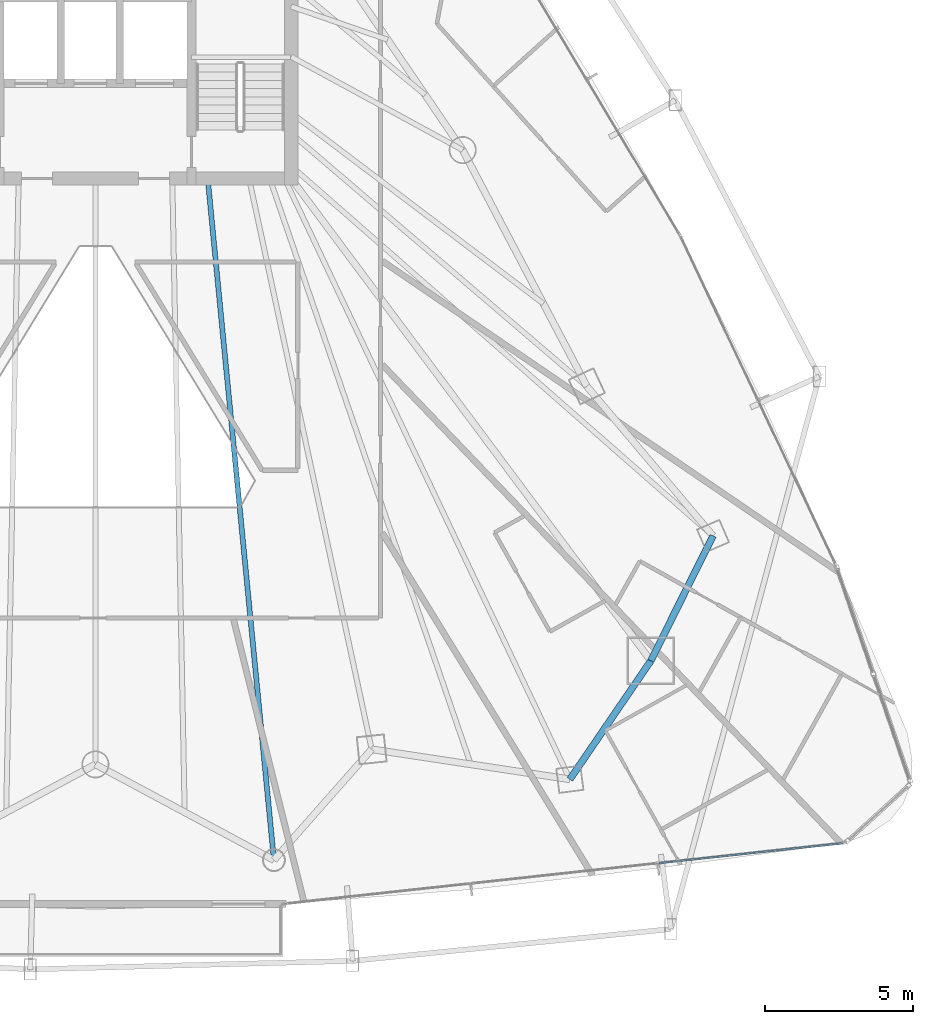
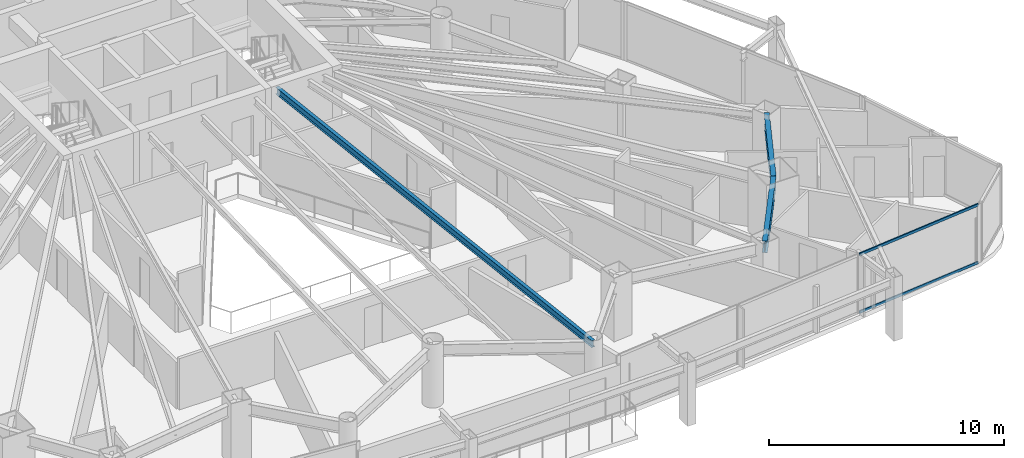
# One storey, part 13 of 34: 3 beams, 2 members, 1 element without a shape of its own.
"""IFC4 building model written with IfcOpenShell, lengths in metres."""

from ifc_helpers import new_model, si_unit, direction, frame, origin, origin_2d, place, context, subcontext, project, spatial, hollow_rectangle, i_section, extrude, material, layer, layer_set, material_profile, profile_set, type_object, element, aggregate, save


model = new_model("IFC4")

# Units and contexts
model_context = context("Model", 3, precision=1e-05, world=origin(), true_north=direction((0.0, 1.0)))
body_context = subcontext(model_context, "Body", "Model", "MODEL_VIEW")
ifc_project = project(units=[si_unit("LENGTHUNIT", "METRE"), si_unit("AREAUNIT", "SQUARE_METRE"), si_unit("VOLUMEUNIT", "CUBIC_METRE"), si_unit("PLANEANGLEUNIT", "RADIAN"), si_unit("MASSUNIT", "GRAM", prefix="KILO")], contexts=[model_context])

# Site, building, storey
site_placement = place(None, origin())
site = spatial("IfcSite", under=ifc_project, at=site_placement, CompositionType="ELEMENT")
building_placement = place(site_placement, origin())
building = spatial("IfcBuilding", under=site, at=building_placement, Name="Orvanel Arch Residences", CompositionType="ELEMENT")
storey_placement = place(building_placement, frame((0.0, 0.0, 77.449951171875)))
storey = spatial("IfcBuildingStorey", under=building, at=storey_placement, Name="L21", CompositionType="ELEMENT", Elevation=77.449951171875)

# Beams
ifc_material_1 = material(Name="Structural steel AS/NZS 3679.1 Grade 300 (300 MPa)", Category="steel")
ifc_material_profile_1 = material_profile(ifc_material_1, i_section(OverallWidth=0.1708984375, OverallDepth=0.35595703125, WebThickness=0.00732421875, FlangeThickness=0.011474609375, at=origin_2d()), Name="360UB50.7")
ifc_profile_set_1 = profile_set([ifc_material_profile_1], Name="Structural steel AS/NZS 3679.1 Grade 300 (300 MPa)")
beam_type_1 = type_object("IfcBeamType", Name="BJ-360UB", PredefinedType="JOIST", material=ifc_profile_set_1)
beam_1_placement = place(storey_placement, frame((36.800048828125, 26.675048828125, 2.882080078125), z_axis=(0.096724091756, -0.995311232768, 0.0), x_axis=(0.995311232768, 0.096724091756, 0.0)))
element("IfcBeam", 1, at=beam_1_placement, inside=storey, type_object=beam_type_1, Name="L21 LSE Wing Floor Joist", PredefinedType="JOIST", context=body_context, shape_type="SweptSolid", body=[
    extrude(i_section(OverallWidth=0.1708984375, OverallDepth=0.35595703125, WebThickness=0.00732421875, FlangeThickness=0.011474609375, at=origin_2d()), origin(), (0.0, 0.0, 1.0), 23.1787109375),
])
ifc_material_profile_2 = material_profile(ifc_material_1, i_section(OverallWidth=0.22900390625, OverallDepth=0.612060546875, WebThickness=0.011962890625, FlangeThickness=0.01953125, at=origin_2d()), Name="610UB125")
ifc_profile_set_2 = profile_set([ifc_material_profile_2], Name="Structural steel AS/NZS 3679.1 Grade 300 (300 MPa)")
beam_type_2 = type_object("IfcBeamType", Name="SP-610UB", PredefinedType="SPANDREL", material=ifc_profile_set_2)
beam_2_placement = place(storey_placement, frame((49.05908203125, 6.339111328125, 2.754150390625), z_axis=(0.564251579852, 0.825602903722, 0.0), x_axis=(-0.825602903722, 0.564251579852, 0.0)))
element("IfcBeam", 2, at=beam_2_placement, inside=storey, type_object=beam_type_2, Name="L21 Perimeter Spandrel Beam 10", PredefinedType="SPANDREL", context=body_context, shape_type="SweptSolid", body=[
    extrude(i_section(OverallWidth=0.22900390625, OverallDepth=0.612060546875, WebThickness=0.011962890625, FlangeThickness=0.01953125, at=origin_2d()), origin(), (0.0, 0.0, 1.0), 4.859375),
])
beam_3_placement = place(storey_placement, frame((51.801025390625, 10.35107421875, 2.754150390625), z_axis=(0.44543469453, 0.895314432425, 0.0), x_axis=(-0.895314432425, 0.44543469453, 0.0)))
element("IfcBeam", 3, at=beam_3_placement, inside=storey, type_object=beam_type_2, Name="L21 Perimeter Spandrel Beam 11", PredefinedType="SPANDREL", context=body_context, shape_type="SweptSolid", body=[
    extrude(i_section(OverallWidth=0.22900390625, OverallDepth=0.612060546875, WebThickness=0.011962890625, FlangeThickness=0.01953125, at=origin_2d()), origin(), (0.0, 0.0, 1.0), 4.723388671875),
])

# Curtain wall, members
ifc_material_2 = material(Name="Bronze-anodised aluminium AA6063-T6", Category="aluminium")
ifc_layer = layer(ifc_material_2, 0.179931640625)
ifc_layer_set = layer_set([ifc_layer], Name="Bronze-anodised aluminium AA6063-T6")
curtain_wall_type = type_object("IfcCurtainWallType", Name="CW2-LOW-SYS", PredefinedType="NOTDEFINED", material=ifc_layer_set)
curtain_wall_placement = place(storey_placement, origin())
curtain_wall = element("IfcCurtainWall", 4, at=curtain_wall_placement, inside=storey, type_object=curtain_wall_type, Name="L21 CW2-LOW-SYS Unitised Curtain Wall", PredefinedType="NOTDEFINED")
ifc_material_profile_3 = material_profile(ifc_material_2, hollow_rectangle(XDim=0.06005859375, YDim=0.135009765625, WallThickness=0.00390625, at=origin_2d()), Name="ALU135x60x4")
ifc_profile_set_3 = profile_set([ifc_material_profile_3], Name="Bronze-anodised aluminium AA6063-T6")
member_type = type_object("IfcMemberType", Name="TRN-135x60", PredefinedType="USERDEFINED", material=ifc_profile_set_3)
member_1_placement = place(storey_placement, frame((52.070556640625, 3.501220703125, 0.030029296875), z_axis=(0.994142734217, 0.10807508503, 0.0), x_axis=(-0.10807508503, 0.994142734217, 0.0)))
member_1 = element("IfcMember", 5, at=member_1_placement, type_object=member_type, Name="CW-S2 transom 3.1", ObjectType="TRANSOM", PredefinedType="USERDEFINED", context=body_context, shape_type="SweptSolid", body=[
    extrude(hollow_rectangle(XDim=0.06005859375, YDim=0.135009765625, WallThickness=0.00390625, at=origin_2d()), origin(), (0.0, 0.0, 1.0), 6.266357421875),
])
member_2_placement = place(storey_placement, frame((52.070556640625, 3.501220703125, 3.030029296875), z_axis=(0.994142734217, 0.10807508503, 0.0), x_axis=(-0.10807508503, 0.994142734217, 0.0)))
member_2 = element("IfcMember", 6, at=member_2_placement, type_object=member_type, Name="CW-S2 transom 3.2", ObjectType="TRANSOM", PredefinedType="USERDEFINED", context=body_context, shape_type="SweptSolid", body=[
    extrude(hollow_rectangle(XDim=0.06005859375, YDim=0.135009765625, WallThickness=0.00390625, at=origin_2d()), origin(), (0.0, 0.0, 1.0), 6.266357421875),
])
aggregate(curtain_wall, [member_1, member_2])

save(model, "model.ifc")
